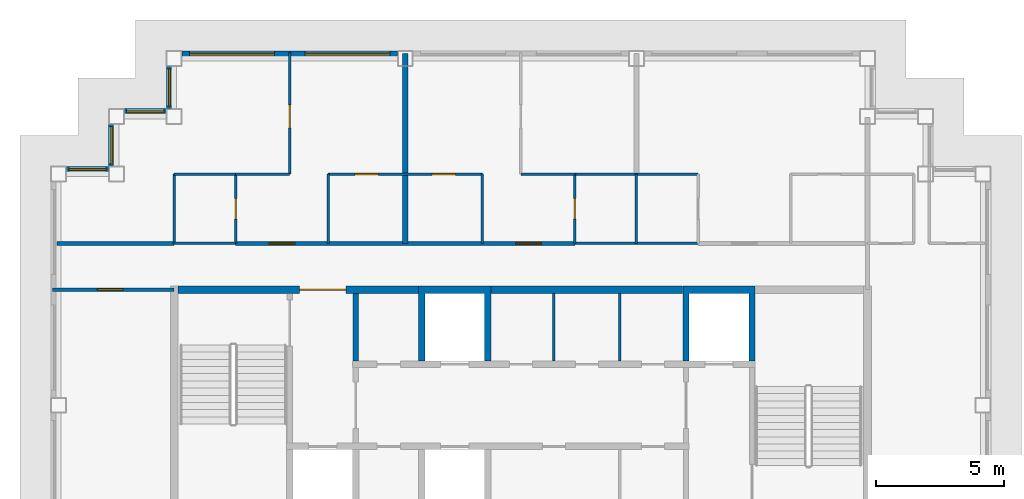
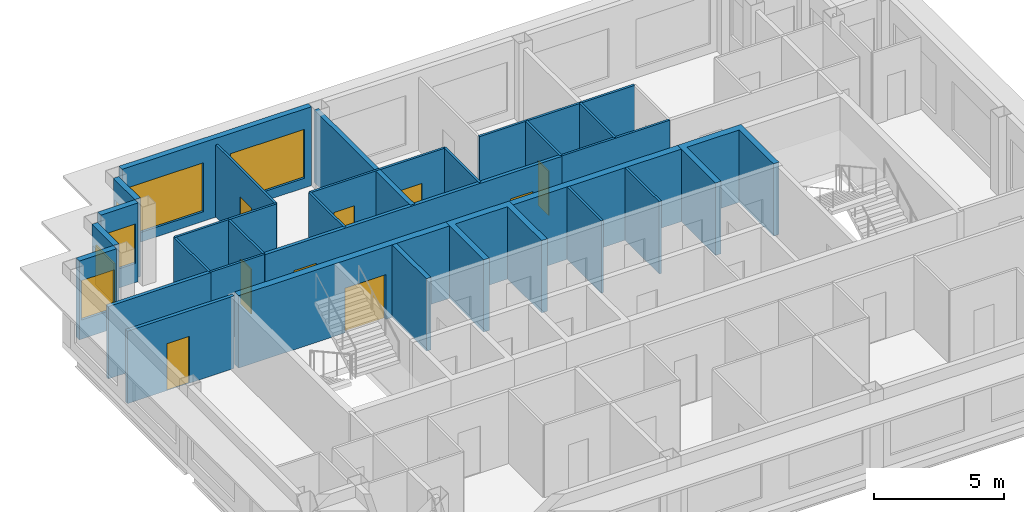
# One storey, part 4 of 11: 30 walls, 9 doors, 6 windows, 15 openings.
"""IFC4 building model written with IfcOpenShell, lengths in metres."""

from ifc_helpers import new_model, si_unit, direction, frame, frame_2d, origin, place, context, subcontext, project, spatial, polyline, rectangle, outline, extrude, material, layer, layer_set, type_object, element, fill, save


model = new_model("IFC4")

# Units and contexts
model_context = context("Model", 3, precision=1e-05, world=origin(), true_north=direction((0.0, 1.0)))
body_context = subcontext(model_context, "Body", "Model", "MODEL_VIEW")
ifc_project = project(units=[si_unit("LENGTHUNIT", "METRE"), si_unit("AREAUNIT", "SQUARE_METRE"), si_unit("VOLUMEUNIT", "CUBIC_METRE"), si_unit("PLANEANGLEUNIT", "RADIAN"), si_unit("MASSUNIT", "GRAM", prefix="KILO")], contexts=[model_context])

# Site, building, storey
site_placement = place(None, origin())
site = spatial("IfcSite", under=ifc_project, at=site_placement, CompositionType="ELEMENT")
building_placement = place(site_placement, origin())
building = spatial("IfcBuilding", under=site, at=building_placement, Name="Caravel Reach Hotel and Residences", CompositionType="ELEMENT")
storey_placement = place(building_placement, frame((0.0, 0.0, 298.199951171875)))
storey = spatial("IfcBuildingStorey", under=building, at=storey_placement, Name="L76", CompositionType="ELEMENT", Elevation=298.199951171875)

# Walls
ifc_material_1 = material(Name="Gypsum board on steel stud", Category="steel")
ifc_layer_1 = layer(ifc_material_1, 0.10009765625)
ifc_layer_set_1 = layer_set([ifc_layer_1], Name="Bathroom pod wall 100 mm")
wall_type_1 = type_object("IfcWallType", Name="Bathroom pod wall 100 mm", PredefinedType="PARTITIONING", material=ifc_layer_set_1)
wall_1_placement = place(storey_placement, frame((18.0, 33.300048828125, 0.0), z_axis=(0.0, 0.0, 1.0), x_axis=(1.0, 0.0, 0.0)))
element("IfcWall", 1, at=wall_1_placement, inside=storey, type_object=wall_type_1, Name="L76 wall w060", PredefinedType="PARTITIONING", context=body_context, shape_type="SweptSolid", body=[
    extrude(rectangle(XDim=2.39990234375, YDim=0.10009765625, at=frame_2d((1.199951171875, 0.0))), origin(), (0.0, 0.0, 1.0), 3.400146484375),
])
wall_2_placement = place(storey_placement, frame((33.60009765625, 33.300048828125, 0.0), z_axis=(0.0, 0.0, 1.0), x_axis=(1.0, 0.0, 0.0)))
element("IfcWall", 2, at=wall_2_placement, inside=storey, type_object=wall_type_1, Name="L76 wall w061", PredefinedType="PARTITIONING", context=body_context, shape_type="SweptSolid", body=[
    extrude(rectangle(XDim=4.7998046875, YDim=0.10009765625, at=frame_2d((2.39990234375, 0.0))), origin(), (0.0, 0.0, 1.0), 3.400146484375),
])
wall_3_placement = place(storey_placement, frame((18.0, 36.0, 0.0), z_axis=(0.0, 0.0, 1.0), x_axis=(1.0, 0.0, 0.0)))
element("IfcWall", 3, at=wall_3_placement, inside=storey, type_object=wall_type_1, Name="L76 wall w064", PredefinedType="PARTITIONING", context=body_context, shape_type="SweptSolid", body=[
    extrude(rectangle(XDim=2.39990234375, YDim=0.10009765625, at=frame_2d((1.199951171875, 0.0))), origin(), (0.0, 0.0, 1.0), 3.400146484375),
])
wall_4_placement = place(storey_placement, frame((33.60009765625, 36.0, 0.0), z_axis=(0.0, 0.0, 1.0), x_axis=(1.0, 0.0, 0.0)))
element("IfcWall", 4, at=wall_4_placement, inside=storey, type_object=wall_type_1, Name="L76 wall w065", PredefinedType="PARTITIONING", context=body_context, shape_type="SweptSolid", body=[
    extrude(rectangle(XDim=4.7998046875, YDim=0.10009765625, at=frame_2d((2.39990234375, 0.0))), origin(), (0.0, 0.0, 1.0), 3.400146484375),
])
wall_5_placement = place(storey_placement, frame((18.0, 33.301025390625, 0.0), z_axis=(0.0, 0.0, 1.0), x_axis=(0.0, 1.0, 0.0)))
element("IfcWall", 5, at=wall_5_placement, inside=storey, type_object=wall_type_1, Name="L76 wall w068", PredefinedType="PARTITIONING", context=body_context, shape_type="SweptSolid", body=[
    extrude(rectangle(XDim=2.698974609375, YDim=0.10009765625, at=frame_2d((1.349609375, 0.0))), origin(), (0.0, 0.0, 1.0), 3.400146484375),
])

# Wall, opening, door
wall_6_placement = place(storey_placement, frame((20.39990234375, 33.300048828125, 0.0), z_axis=(0.0, 0.0, 1.0), x_axis=(0.0, 1.0, 0.0)))
wall_6 = element("IfcWall", 6, at=wall_6_placement, inside=storey, type_object=wall_type_1, Name="L76 wall w070", PredefinedType="PARTITIONING", context=body_context, shape_type="SweptSolid", body=[
    extrude(rectangle(XDim=2.699951171875, YDim=0.10009765625, at=frame_2d((1.35009765625, 0.0))), origin(), (0.0, 0.0, 1.0), 3.400146484375),
])
opening_1_placement = place(wall_6_placement, frame((0.949951171875, 0.0, 0.0)))
opening_1 = element("IfcOpeningElement", 7, at=opening_1_placement, cuts=wall_6, Name="Opening D76-019", PredefinedType="OPENING", context=body_context, shape_type="SweptSolid", body=[
    extrude(rectangle(XDim=0.800048828125, YDim=2.10009765625, at=frame_2d((0.39990234375, 1.050048828125))), frame((0.0, 0.06005859375, 0.0), z_axis=(0.0, -1.0, 0.0), x_axis=(1.0, 0.0, 0.0)), (0.0, 0.0, 1.0), 0.1201171875),
])
ifc_material_2 = material(Name="Timber and steel door leaf", Category="steel")
door_type_1 = type_object("IfcDoorType", Name="Bathroom door 800 x 2100", OperationType="SINGLE_SWING_LEFT", PredefinedType="DOOR", material=ifc_material_2)
door_1_placement = place(opening_1_placement, origin())
door_1 = element("IfcDoor", 8, at=door_1_placement, inside=storey, type_object=door_type_1, Name="door D76-019", OperationType="SINGLE_SWING_LEFT", OverallHeight=2.10009765625, OverallWidth=0.800048828125, PredefinedType="DOOR", context=body_context, shape_type="SweptSolid", body=[
    extrude(rectangle(XDim=0.800048828125, YDim=2.10009765625, at=frame_2d((0.39990234375, 1.050048828125))), frame((0.0, 0.02490234375, 0.0), z_axis=(0.0, -1.0, 0.0), x_axis=(1.0, 0.0, 0.0)), (0.0, 0.0, 1.0), 0.050048828125),
])
fill(opening_1, door_1)

wall_7_placement = place(storey_placement, frame((33.60009765625, 33.300048828125, 0.0), z_axis=(0.0, 0.0, 1.0), x_axis=(0.0, 1.0, 0.0)))
wall_7 = element("IfcWall", 9, at=wall_7_placement, inside=storey, type_object=wall_type_1, Name="L76 wall w072", PredefinedType="PARTITIONING", context=body_context, shape_type="SweptSolid", body=[
    extrude(rectangle(XDim=2.699951171875, YDim=0.10009765625, at=frame_2d((1.35009765625, 0.0))), origin(), (0.0, 0.0, 1.0), 3.400146484375),
])
opening_2_placement = place(wall_7_placement, frame((0.949951171875, 0.0, 0.0)))
opening_2 = element("IfcOpeningElement", 10, at=opening_2_placement, cuts=wall_7, Name="Opening D76-024", PredefinedType="OPENING", context=body_context, shape_type="SweptSolid", body=[
    extrude(rectangle(XDim=0.800048828125, YDim=2.10009765625, at=frame_2d((0.39990234375, 1.050048828125))), frame((0.0, 0.06005859375, 0.0), z_axis=(0.0, -1.0, 0.0), x_axis=(1.0, 0.0, 0.0)), (0.0, 0.0, 1.0), 0.1201171875),
])
door_2_placement = place(opening_2_placement, origin())
door_2 = element("IfcDoor", 11, at=door_2_placement, inside=storey, type_object=door_type_1, Name="door D76-024", OperationType="SINGLE_SWING_LEFT", OverallHeight=2.10009765625, OverallWidth=0.800048828125, PredefinedType="DOOR", context=body_context, shape_type="SweptSolid", body=[
    extrude(rectangle(XDim=0.800048828125, YDim=2.10009765625, at=frame_2d((0.39990234375, 1.050048828125))), frame((0.0, 0.02490234375, 0.0), z_axis=(0.0, -1.0, 0.0), x_axis=(1.0, 0.0, 0.0)), (0.0, 0.0, 1.0), 0.050048828125),
])
fill(opening_2, door_2)

# Walls
wall_8_placement = place(storey_placement, frame((36.0, 33.300048828125, 0.0), z_axis=(0.0, 0.0, 1.0), x_axis=(0.0, 1.0, 0.0)))
element("IfcWall", 12, at=wall_8_placement, inside=storey, type_object=wall_type_1, Name="L76 wall w074", PredefinedType="PARTITIONING", context=body_context, shape_type="SweptSolid", body=[
    extrude(rectangle(XDim=2.699951171875, YDim=0.10009765625, at=frame_2d((1.35009765625, 0.0))), origin(), (0.0, 0.0, 1.0), 3.400146484375),
])
ifc_material_3 = material(Name="Autoclaved aerated block wall")
ifc_layer_2 = layer(ifc_material_3, 0.199951171875)
ifc_layer_set_2 = layer_set([ifc_layer_2], Name="Compartment wall 200 mm EI 120")
wall_type_2 = type_object("IfcWallType", Name="Compartment wall 200 mm EI 120", PredefinedType="PARTITIONING", material=ifc_layer_set_2)
wall_9_placement = place(storey_placement, frame((25.071533203125, 28.72509765625, 0.0), z_axis=(0.0, 0.0, 1.0), x_axis=(0.0, 1.0, 0.0)))
element("IfcWall", 13, at=wall_9_placement, inside=storey, type_object=wall_type_2, Name="L76 store partition", PredefinedType="PARTITIONING", context=body_context, shape_type="SweptSolid", body=[
    extrude(rectangle(XDim=2.625, YDim=0.199951171875, at=frame_2d((1.3125, 0.0))), origin(), (0.0, 0.0, 1.0), 3.400146484375),
])

# Wall, opening, door
ifc_material_4 = material(Name="Concrete C60", Category="concrete")
ifc_layer_3 = layer(ifc_material_4, 0.300048828125)
ifc_layer_set_3 = layer_set([ifc_layer_3], Name="Core wall 300 mm EI 120")
wall_type_3 = type_object("IfcWallType", Name="Core wall 300 mm EI 120", PredefinedType="SHEAR", material=ifc_layer_set_3)
wall_10_placement = place(storey_placement, frame((18.14990234375, 31.5, 0.0), z_axis=(0.0, 0.0, 1.0), x_axis=(1.0, 0.0, 0.0)))
wall_10 = element("IfcWall", 14, at=wall_10_placement, inside=storey, type_object=wall_type_3, Name="L76 core wall N1", PredefinedType="SHEAR", context=body_context, shape_type="SweptSolid", body=[
    extrude(rectangle(XDim=9.367919921875, YDim=0.300048828125, at=frame_2d((4.68408203125, 0.0))), origin(), (0.0, 0.0, 1.0), 3.400146484375),
])
opening_3_placement = place(wall_10_placement, frame((4.735595703125, 0.0, 0.0)))
opening_3 = element("IfcOpeningElement", 15, at=opening_3_placement, cuts=wall_10, Name="Opening D76-016", PredefinedType="OPENING", context=body_context, shape_type="SweptSolid", body=[
    extrude(rectangle(XDim=1.800048828125, YDim=2.10009765625, at=frame_2d((0.89990234375, 1.050048828125))), frame((0.0, 0.159912109375, 0.0), z_axis=(0.0, -1.0, 0.0), x_axis=(1.0, 0.0, 0.0)), (0.0, 0.0, 1.0), 0.320068359375),
])
ifc_material_5 = material(Name="Steel fire door leaf", Category="steel")
door_type_2 = type_object("IfcDoorType", Name="Fire lobby door pair 1800 x 2100 EI 90", OperationType="DOUBLE_DOOR_SINGLE_SWING", PredefinedType="DOOR", material=ifc_material_5)
door_3_placement = place(opening_3_placement, origin())
door_3 = element("IfcDoor", 16, at=door_3_placement, inside=storey, type_object=door_type_2, Name="lobby N door pair to corridor", OperationType="DOUBLE_DOOR_SINGLE_SWING", OverallHeight=2.10009765625, OverallWidth=1.800048828125, PredefinedType="DOOR", context=body_context, shape_type="SweptSolid", body=[
    extrude(rectangle(XDim=1.800048828125, YDim=2.10009765625, at=frame_2d((0.89990234375, 1.050048828125))), frame((0.0, 0.02490234375, 0.0), z_axis=(0.0, -1.0, 0.0), x_axis=(1.0, 0.0, 0.0)), (0.0, 0.0, 1.0), 0.050048828125),
])
fill(opening_3, door_3)

# Wall
wall_11_placement = place(storey_placement, frame((30.33935546875, 31.5, 0.0), z_axis=(0.0, 0.0, 1.0), x_axis=(1.0, 0.0, 0.0)))
element("IfcWall", 17, at=wall_11_placement, inside=storey, type_object=wall_type_3, Name="L76 core wall N2", PredefinedType="SHEAR", context=body_context, shape_type="SweptSolid", body=[
    extrude(rectangle(XDim=7.464111328125, YDim=0.300048828125, at=frame_2d((3.73193359375, 0.0))), origin(), (0.0, 0.0, 1.0), 3.400146484375),
])

# Wall, opening, door
ifc_material_6 = material(Name="Gypsum board on steel stud, fire-rated", Category="steel")
ifc_layer_4 = layer(ifc_material_6, 0.14990234375)
ifc_layer_set_4 = layer_set([ifc_layer_4], Name="Corridor wall 150 mm EI 60")
wall_type_4 = type_object("IfcWallType", Name="Corridor wall 150 mm EI 60", PredefinedType="PARTITIONING", material=ifc_layer_set_4)
wall_12_placement = place(storey_placement, frame((13.260009765625, 31.5, 0.0), z_axis=(0.0, 0.0, 1.0), x_axis=(1.0, 0.0, 0.0)))
wall_12 = element("IfcWall", 18, at=wall_12_placement, inside=storey, type_object=wall_type_4, Name="L76 wall w009", PredefinedType="PARTITIONING", context=body_context, shape_type="SweptSolid", body=[
    extrude(rectangle(XDim=4.739990234375, YDim=0.14990234375, at=frame_2d((2.3701171875, 0.0))), origin(), (0.0, 0.0, 1.0), 3.400146484375),
])
opening_4_placement = place(wall_12_placement, frame((1.75, 0.0, 0.0)))
opening_4 = element("IfcOpeningElement", 19, at=opening_4_placement, cuts=wall_12, Name="Opening D76-039", PredefinedType="OPENING", context=body_context, shape_type="SweptSolid", body=[
    extrude(rectangle(XDim=1.0, YDim=2.199951171875, at=frame_2d((0.5, 1.10009765625))), frame((0.0, 0.0849609375, 0.0), z_axis=(0.0, -1.0, 0.0), x_axis=(1.0, 0.0, 0.0)), (0.0, 0.0, 1.0), 0.169921875),
])
ifc_material_7 = material(Name="Steel fire door leaf", Category="steel")
door_type_3 = type_object("IfcDoorType", Name="Flat entrance door 1000 x 2200 EI 60", OperationType="SINGLE_SWING_LEFT", PredefinedType="DOOR", material=ifc_material_7)
door_4_placement = place(opening_4_placement, origin())
door_4 = element("IfcDoor", 20, at=door_4_placement, inside=storey, type_object=door_type_3, Name="door D76-039", OperationType="SINGLE_SWING_LEFT", OverallHeight=2.199951171875, OverallWidth=1.0, PredefinedType="DOOR", context=body_context, shape_type="SweptSolid", body=[
    extrude(rectangle(XDim=1.0, YDim=2.199951171875, at=frame_2d((0.5, 1.10009765625))), frame((0.0, 0.02490234375, 0.0), z_axis=(0.0, -1.0, 0.0), x_axis=(1.0, 0.0, 0.0)), (0.0, 0.0, 1.0), 0.050048828125),
])
fill(opening_4, door_4)

# Wall
wall_13_placement = place(storey_placement, frame((13.449951171875, 33.300048828125, 0.0), z_axis=(0.0, 0.0, 1.0), x_axis=(1.0, 0.0, 0.0)))
element("IfcWall", 21, at=wall_13_placement, inside=storey, type_object=wall_type_4, Name="L76 wall w010", PredefinedType="PARTITIONING", context=body_context, shape_type="SweptSolid", body=[
    extrude(rectangle(XDim=4.549072265625, YDim=0.14990234375, at=frame_2d((2.2744140625, 0.0))), origin(), (0.0, 0.0, 1.0), 3.400146484375),
])

# Wall, openings, doors
wall_14_placement = place(storey_placement, frame((20.39990234375, 33.300048828125, 0.0), z_axis=(0.0, 0.0, 1.0), x_axis=(1.0, 0.0, 0.0)))
wall_14 = element("IfcWall", 22, at=wall_14_placement, inside=storey, type_object=wall_type_4, Name="L76 wall w011", PredefinedType="PARTITIONING", context=body_context, shape_type="SweptSolid", body=[
    extrude(rectangle(XDim=13.2001953125, YDim=0.14990234375, at=frame_2d((6.60009765625, 0.0))), origin(), (0.0, 0.0, 1.0), 3.400146484375),
])
opening_5_placement = place(wall_14_placement, frame((1.300048828125, 0.0, 0.0)))
opening_5 = element("IfcOpeningElement", 23, at=opening_5_placement, cuts=wall_14, Name="Opening D76-018", PredefinedType="OPENING", context=body_context, shape_type="SweptSolid", body=[
    extrude(rectangle(XDim=1.0, YDim=2.199951171875, at=frame_2d((0.5, 1.10009765625))), frame((0.0, 0.0849609375, 0.0), z_axis=(0.0, -1.0, 0.0), x_axis=(1.0, 0.0, 0.0)), (0.0, 0.0, 1.0), 0.169921875),
])
opening_6_placement = place(wall_14_placement, frame((10.900146484375, 0.0, 0.0)))
opening_6 = element("IfcOpeningElement", 24, at=opening_6_placement, cuts=wall_14, Name="Opening D76-022", PredefinedType="OPENING", context=body_context, shape_type="SweptSolid", body=[
    extrude(rectangle(XDim=1.0, YDim=2.199951171875, at=frame_2d((0.5, 1.10009765625))), frame((0.0, 0.0849609375, 0.0), z_axis=(0.0, -1.0, 0.0), x_axis=(1.0, 0.0, 0.0)), (0.0, 0.0, 1.0), 0.169921875),
])
door_5_placement = place(opening_5_placement, origin())
door_5 = element("IfcDoor", 25, at=door_5_placement, inside=storey, type_object=door_type_3, Name="door D76-018", OperationType="SINGLE_SWING_RIGHT", OverallHeight=2.199951171875, OverallWidth=1.0, PredefinedType="DOOR", context=body_context, shape_type="SweptSolid", body=[
    extrude(rectangle(XDim=1.0, YDim=2.199951171875, at=frame_2d((0.5, 1.10009765625))), frame((0.0, 0.02490234375, 0.0), z_axis=(0.0, -1.0, 0.0), x_axis=(1.0, 0.0, 0.0)), (0.0, 0.0, 1.0), 0.050048828125),
])
fill(opening_5, door_5)
door_6_placement = place(opening_6_placement, origin())
door_6 = element("IfcDoor", 26, at=door_6_placement, inside=storey, type_object=door_type_3, Name="door D76-022", OperationType="SINGLE_SWING_RIGHT", OverallHeight=2.199951171875, OverallWidth=1.0, PredefinedType="DOOR", context=body_context, shape_type="SweptSolid", body=[
    extrude(rectangle(XDim=1.0, YDim=2.199951171875, at=frame_2d((0.5, 1.10009765625))), frame((0.0, 0.02490234375, 0.0), z_axis=(0.0, -1.0, 0.0), x_axis=(1.0, 0.0, 0.0)), (0.0, 0.0, 1.0), 0.050048828125),
])
fill(opening_6, door_6)

# Wall, openings, windows
ifc_material_8 = material(Name="Insulated rainscreen wall, aluminium cladding", Category="aluminium")
ifc_layer_5 = layer(ifc_material_8, 0.25)
ifc_layer_set_5 = layer_set([ifc_layer_5], Name="EW1 Tower rainscreen wall")
wall_type_5 = type_object("IfcWallType", Name="EW1 Tower rainscreen wall", PredefinedType="SOLIDWALL", material=ifc_layer_set_5)
wall_15_placement = place(storey_placement, frame((26.699951171875, 40.675048828125, 0.0), z_axis=(0.0, 0.0, 1.0), x_axis=(-1.0, 0.0, 0.0)))
wall_15 = element("IfcWall", 27, at=wall_15_placement, inside=storey, type_object=wall_type_5, Name="External wall L76 N10.3", PredefinedType="SOLIDWALL", context=body_context, shape_type="SweptSolid", body=[
    extrude(rectangle(XDim=8.39990234375, YDim=0.25, at=frame_2d((4.199951171875, 0.0))), origin(), (0.0, 0.0, 1.0), 3.699951171875),
])
opening_7_placement = place(wall_15_placement, frame((0.300048828125, 0.0, 0.449951171875)))
opening_7 = element("IfcOpeningElement", 28, at=opening_7_placement, cuts=wall_15, Name="Opening WN15", PredefinedType="OPENING", context=body_context, shape_type="SweptSolid", body=[
    extrude(rectangle(XDim=3.300048828125, YDim=2.300048828125, at=frame_2d((1.64990234375, 1.14990234375))), frame((0.0, 0.135009765625, 0.0), z_axis=(0.0, -1.0, 0.0), x_axis=(1.0, 0.0, 0.0)), (0.0, 0.0, 1.0), 0.27001953125),
])
opening_8_placement = place(wall_15_placement, frame((4.800048828125, 0.0, 0.449951171875)))
opening_8 = element("IfcOpeningElement", 29, at=opening_8_placement, cuts=wall_15, Name="Opening WN15", PredefinedType="OPENING", context=body_context, shape_type="SweptSolid", body=[
    extrude(rectangle(XDim=3.300048828125, YDim=2.300048828125, at=frame_2d((1.64990234375, 1.14990234375))), frame((0.0, 0.135009765625, 0.0), z_axis=(0.0, -1.0, 0.0), x_axis=(1.0, 0.0, 0.0)), (0.0, 0.0, 1.0), 0.27001953125),
])
ifc_material_9 = material(Name="Dark low-e glazing in black aluminium frame", Category="aluminium")
window_type_1 = type_object("IfcWindowType", Name="Residence living window 3300 x 2300", PartitioningType="SINGLE_PANEL", PredefinedType="WINDOW", material=ifc_material_9)
window_1_placement = place(opening_7_placement, origin())
window_1 = element("IfcWindow", 30, at=window_1_placement, inside=storey, type_object=window_type_1, Name="Window L76 N10.3.1", OverallHeight=2.300048828125, OverallWidth=3.300048828125, PartitioningType="SINGLE_PANEL", PredefinedType="WINDOW", context=body_context, shape_type="SweptSolid", body=[
    extrude(rectangle(XDim=3.300048828125, YDim=2.300048828125, at=frame_2d((1.64990234375, 1.14990234375))), frame((0.0, 0.030029296875, 0.0), z_axis=(0.0, -1.0, 0.0), x_axis=(1.0, 0.0, 0.0)), (0.0, 0.0, 1.0), 0.06005859375),
])
fill(opening_7, window_1)
window_2_placement = place(opening_8_placement, origin())
window_2 = element("IfcWindow", 31, at=window_2_placement, inside=storey, type_object=window_type_1, Name="Window L76 N10.3.2", OverallHeight=2.300048828125, OverallWidth=3.300048828125, PartitioningType="SINGLE_PANEL", PredefinedType="WINDOW", context=body_context, shape_type="SweptSolid", body=[
    extrude(rectangle(XDim=3.300048828125, YDim=2.300048828125, at=frame_2d((1.64990234375, 1.14990234375))), frame((0.0, 0.030029296875, 0.0), z_axis=(0.0, -1.0, 0.0), x_axis=(1.0, 0.0, 0.0)), (0.0, 0.0, 1.0), 0.06005859375),
])
fill(opening_8, window_2)

# Wall, opening, window
wall_16_placement = place(storey_placement, frame((17.824951171875, 40.199951171875, 0.0), z_axis=(0.0, 0.0, 1.0), x_axis=(0.0, -1.0, 0.0)))
wall_16 = element("IfcWall", 32, at=wall_16_placement, inside=storey, type_object=wall_type_5, Name="External wall L76 W11.1", PredefinedType="SOLIDWALL", context=body_context, shape_type="SweptSolid", body=[
    extrude(rectangle(XDim=1.64990234375, YDim=0.25, at=frame_2d((0.824951171875, 0.0))), origin(), (0.0, 0.0, 1.0), 3.699951171875),
])
opening_9_placement = place(wall_16_placement, frame((0.10009765625, 0.0, 0.89990234375)))
opening_9 = element("IfcOpeningElement", 33, at=opening_9_placement, cuts=wall_16, Name="Opening WN25", PredefinedType="OPENING", context=body_context, shape_type="SweptSolid", body=[
    extrude(rectangle(XDim=1.449951171875, YDim=1.85009765625, at=frame_2d((0.72509765625, 0.925048828125))), frame((0.0, 0.135009765625, 0.0), z_axis=(0.0, -1.0, 0.0), x_axis=(1.0, 0.0, 0.0)), (0.0, 0.0, 1.0), 0.27001953125),
])
ifc_material_10 = material(Name="Dark low-e glazing in black aluminium frame", Category="aluminium")
window_type_2 = type_object("IfcWindowType", Name="Residence bedroom window 1450 x 1850", PartitioningType="SINGLE_PANEL", PredefinedType="WINDOW", material=ifc_material_10)
window_3_placement = place(opening_9_placement, origin())
window_3 = element("IfcWindow", 34, at=window_3_placement, inside=storey, type_object=window_type_2, Name="Window L76 W11.1.1", OverallHeight=1.85009765625, OverallWidth=1.449951171875, PartitioningType="SINGLE_PANEL", PredefinedType="WINDOW", context=body_context, shape_type="SweptSolid", body=[
    extrude(rectangle(XDim=1.449951171875, YDim=1.85009765625, at=frame_2d((0.72509765625, 0.925048828125))), frame((0.0, 0.030029296875, 0.0), z_axis=(0.0, -1.0, 0.0), x_axis=(1.0, 0.0, 0.0)), (0.0, 0.0, 1.0), 0.06005859375),
])
fill(opening_9, window_3)

wall_17_placement = place(storey_placement, frame((17.699951171875, 38.425048828125, 0.0), z_axis=(0.0, 0.0, 1.0), x_axis=(-1.0, 0.0, 0.0)))
wall_17 = element("IfcWall", 35, at=wall_17_placement, inside=storey, type_object=wall_type_5, Name="External wall L76 N12.1", PredefinedType="SOLIDWALL", context=body_context, shape_type="SweptSolid", body=[
    extrude(rectangle(XDim=1.64990234375, YDim=0.25, at=frame_2d((0.824951171875, 0.0))), origin(), (0.0, 0.0, 1.0), 3.699951171875),
])
opening_10_placement = place(wall_17_placement, frame((0.10009765625, 0.0, 0.89990234375)))
opening_10 = element("IfcOpeningElement", 36, at=opening_10_placement, cuts=wall_17, Name="Opening WN25", PredefinedType="OPENING", context=body_context, shape_type="SweptSolid", body=[
    extrude(rectangle(XDim=1.449951171875, YDim=1.85009765625, at=frame_2d((0.72509765625, 0.925048828125))), frame((0.0, 0.135009765625, 0.0), z_axis=(0.0, -1.0, 0.0), x_axis=(1.0, 0.0, 0.0)), (0.0, 0.0, 1.0), 0.27001953125),
])
window_4_placement = place(opening_10_placement, origin())
window_4 = element("IfcWindow", 37, at=window_4_placement, inside=storey, type_object=window_type_2, Name="Window L76 N12.1.1", OverallHeight=1.85009765625, OverallWidth=1.449951171875, PartitioningType="SINGLE_PANEL", PredefinedType="WINDOW", context=body_context, shape_type="SweptSolid", body=[
    extrude(rectangle(XDim=1.449951171875, YDim=1.85009765625, at=frame_2d((0.72509765625, 0.925048828125))), frame((0.0, 0.030029296875, 0.0), z_axis=(0.0, -1.0, 0.0), x_axis=(1.0, 0.0, 0.0)), (0.0, 0.0, 1.0), 0.06005859375),
])
fill(opening_10, window_4)

wall_18_placement = place(storey_placement, frame((15.574951171875, 37.949951171875, 0.0), z_axis=(0.0, 0.0, 1.0), x_axis=(0.0, -1.0, 0.0)))
wall_18 = element("IfcWall", 38, at=wall_18_placement, inside=storey, type_object=wall_type_5, Name="External wall L76 W13.1", PredefinedType="SOLIDWALL", context=body_context, shape_type="SweptSolid", body=[
    extrude(rectangle(XDim=1.64990234375, YDim=0.25, at=frame_2d((0.824951171875, 0.0))), origin(), (0.0, 0.0, 1.0), 3.699951171875),
])
opening_11_placement = place(wall_18_placement, frame((0.10009765625, 0.0, 0.89990234375)))
opening_11 = element("IfcOpeningElement", 39, at=opening_11_placement, cuts=wall_18, Name="Opening WN25", PredefinedType="OPENING", context=body_context, shape_type="SweptSolid", body=[
    extrude(rectangle(XDim=1.449951171875, YDim=1.85009765625, at=frame_2d((0.72509765625, 0.925048828125))), frame((0.0, 0.135009765625, 0.0), z_axis=(0.0, -1.0, 0.0), x_axis=(1.0, 0.0, 0.0)), (0.0, 0.0, 1.0), 0.27001953125),
])
window_5_placement = place(opening_11_placement, origin())
window_5 = element("IfcWindow", 40, at=window_5_placement, inside=storey, type_object=window_type_2, Name="Window L76 W13.1.1", OverallHeight=1.85009765625, OverallWidth=1.449951171875, PartitioningType="SINGLE_PANEL", PredefinedType="WINDOW", context=body_context, shape_type="SweptSolid", body=[
    extrude(rectangle(XDim=1.449951171875, YDim=1.85009765625, at=frame_2d((0.72509765625, 0.925048828125))), frame((0.0, 0.030029296875, 0.0), z_axis=(0.0, -1.0, 0.0), x_axis=(1.0, 0.0, 0.0)), (0.0, 0.0, 1.0), 0.06005859375),
])
fill(opening_11, window_5)

wall_19_placement = place(storey_placement, frame((15.449951171875, 36.175048828125, 0.0), z_axis=(0.0, 0.0, 1.0), x_axis=(-1.0, 0.0, 0.0)))
wall_19 = element("IfcWall", 41, at=wall_19_placement, inside=storey, type_object=wall_type_5, Name="External wall L76 N14.1", PredefinedType="SOLIDWALL", context=body_context, shape_type="SweptSolid", body=[
    extrude(rectangle(XDim=1.64990234375, YDim=0.25, at=frame_2d((0.824951171875, 0.0))), origin(), (0.0, 0.0, 1.0), 3.699951171875),
])
opening_12_placement = place(wall_19_placement, frame((0.10009765625, 0.0, 0.89990234375)))
opening_12 = element("IfcOpeningElement", 42, at=opening_12_placement, cuts=wall_19, Name="Opening WN25", PredefinedType="OPENING", context=body_context, shape_type="SweptSolid", body=[
    extrude(rectangle(XDim=1.449951171875, YDim=1.85009765625, at=frame_2d((0.72509765625, 0.925048828125))), frame((0.0, 0.135009765625, 0.0), z_axis=(0.0, -1.0, 0.0), x_axis=(1.0, 0.0, 0.0)), (0.0, 0.0, 1.0), 0.27001953125),
])
window_6_placement = place(opening_12_placement, origin())
window_6 = element("IfcWindow", 43, at=window_6_placement, inside=storey, type_object=window_type_2, Name="Window L76 N14.1.1", OverallHeight=1.85009765625, OverallWidth=1.449951171875, PartitioningType="SINGLE_PANEL", PredefinedType="WINDOW", context=body_context, shape_type="SweptSolid", body=[
    extrude(rectangle(XDim=1.449951171875, YDim=1.85009765625, at=frame_2d((0.72509765625, 0.925048828125))), frame((0.0, 0.030029296875, 0.0), z_axis=(0.0, -1.0, 0.0), x_axis=(1.0, 0.0, 0.0)), (0.0, 0.0, 1.0), 0.06005859375),
])
fill(opening_12, window_6)

# Walls
ifc_material_11 = material(Name="Gypsum board on steel stud", Category="steel")
ifc_layer_6 = layer(ifc_material_11, 0.10009765625)
ifc_layer_set_6 = layer_set([ifc_layer_6], Name="Partition 100 mm")
wall_type_6 = type_object("IfcWallType", Name="Partition 100 mm", PredefinedType="PARTITIONING", material=ifc_layer_set_6)
for number, where, z_axis, x_axis, name in (
    (44, (32.78564453125, 28.72509765625, 0.0), (0.0, 0.0, 1.0), (0.0, 1.0, 0.0), "L76 store partition"),
    (45, (35.357177734375, 28.72509765625, 0.0), (0.0, 0.0, 1.0), (0.0, 1.0, 0.0), "L76 store partition"),
):
    element("IfcWall", number, at=place(storey_placement, frame(where, z_axis=z_axis, x_axis=x_axis)), inside=storey, type_object=wall_type_6, Name=name, PredefinedType="PARTITIONING", context=body_context, shape_type="SweptSolid", body=[
        extrude(rectangle(XDim=2.625, YDim=0.10009765625, at=frame_2d((1.3125, 0.0))), origin(), (0.0, 0.0, 1.0), 3.400146484375),
    ])
wall_20_placement = place(storey_placement, frame((20.39990234375, 36.0, 0.0), z_axis=(0.0, 0.0, 1.0), x_axis=(1.0, 0.0, 0.0)))
element("IfcWall", 46, at=wall_20_placement, inside=storey, type_object=wall_type_6, Name="L76 wall w026", PredefinedType="PARTITIONING", context=body_context, shape_type="SweptSolid", body=[
    extrude(rectangle(XDim=2.10009765625, YDim=0.10009765625, at=frame_2d((1.050048828125, 0.0))), origin(), (0.0, 0.0, 1.0), 3.400146484375),
])

# Wall, openings, doors
wall_21_placement = place(storey_placement, frame((24.0, 36.0, 0.0), z_axis=(0.0, 0.0, 1.0), x_axis=(1.0, 0.0, 0.0)))
wall_21 = element("IfcWall", 47, at=wall_21_placement, inside=storey, type_object=wall_type_6, Name="L76 wall w027", PredefinedType="PARTITIONING", context=body_context, shape_type="SweptSolid", body=[
    extrude(rectangle(XDim=6.0, YDim=0.10009765625, at=frame_2d((3.0, 0.0))), origin(), (0.0, 0.0, 1.0), 3.400146484375),
])
opening_13_placement = place(wall_21_placement, frame((1.050048828125, 0.0, 0.0)))
opening_13 = element("IfcOpeningElement", 48, at=opening_13_placement, cuts=wall_21, Name="Opening D76-020", PredefinedType="OPENING", context=body_context, shape_type="SweptSolid", body=[
    extrude(rectangle(XDim=0.89990234375, YDim=2.10009765625, at=frame_2d((0.449951171875, 1.050048828125))), frame((0.0, 0.06005859375, 0.0), z_axis=(0.0, -1.0, 0.0), x_axis=(1.0, 0.0, 0.0)), (0.0, 0.0, 1.0), 0.1201171875),
])
opening_14_placement = place(wall_21_placement, frame((4.050048828125, 0.0, 0.0)))
opening_14 = element("IfcOpeningElement", 49, at=opening_14_placement, cuts=wall_21, Name="Opening D76-023", PredefinedType="OPENING", context=body_context, shape_type="SweptSolid", body=[
    extrude(rectangle(XDim=0.89990234375, YDim=2.10009765625, at=frame_2d((0.449951171875, 1.050048828125))), frame((0.0, 0.06005859375, 0.0), z_axis=(0.0, -1.0, 0.0), x_axis=(1.0, 0.0, 0.0)), (0.0, 0.0, 1.0), 0.1201171875),
])
ifc_material_12 = material(Name="Timber and steel door leaf", Category="steel")
door_type_4 = type_object("IfcDoorType", Name="Door 900 x 2100 timber", OperationType="SINGLE_SWING_LEFT", PredefinedType="DOOR", material=ifc_material_12)
door_7_placement = place(opening_13_placement, origin())
door_7 = element("IfcDoor", 50, at=door_7_placement, inside=storey, type_object=door_type_4, Name="door D76-020", OperationType="SINGLE_SWING_LEFT", OverallHeight=2.10009765625, OverallWidth=0.89990234375, PredefinedType="DOOR", context=body_context, shape_type="SweptSolid", body=[
    extrude(rectangle(XDim=0.89990234375, YDim=2.10009765625, at=frame_2d((0.449951171875, 1.050048828125))), frame((0.0, 0.02490234375, 0.0), z_axis=(0.0, -1.0, 0.0), x_axis=(1.0, 0.0, 0.0)), (0.0, 0.0, 1.0), 0.050048828125),
])
fill(opening_13, door_7)
door_8_placement = place(opening_14_placement, origin())
door_8 = element("IfcDoor", 51, at=door_8_placement, inside=storey, type_object=door_type_4, Name="door D76-023", OperationType="SINGLE_SWING_RIGHT", OverallHeight=2.10009765625, OverallWidth=0.89990234375, PredefinedType="DOOR", context=body_context, shape_type="SweptSolid", body=[
    extrude(rectangle(XDim=0.89990234375, YDim=2.10009765625, at=frame_2d((0.449951171875, 1.050048828125))), frame((0.0, 0.02490234375, 0.0), z_axis=(0.0, -1.0, 0.0), x_axis=(1.0, 0.0, 0.0)), (0.0, 0.0, 1.0), 0.050048828125),
])
fill(opening_14, door_8)

# Wall
wall_22_placement = place(storey_placement, frame((31.5, 36.0, 0.0), z_axis=(0.0, 0.0, 1.0), x_axis=(1.0, 0.0, 0.0)))
element("IfcWall", 52, at=wall_22_placement, inside=storey, type_object=wall_type_6, Name="L76 wall w028", PredefinedType="PARTITIONING", context=body_context, shape_type="SweptSolid", body=[
    extrude(rectangle(XDim=2.10009765625, YDim=0.10009765625, at=frame_2d((1.050048828125, 0.0))), origin(), (0.0, 0.0, 1.0), 3.400146484375),
])

# Wall, opening, door
wall_23_placement = place(storey_placement, frame((22.5, 36.0, 0.0), z_axis=(0.0, 0.0, 1.0), x_axis=(0.0, 1.0, 0.0)))
wall_23 = element("IfcWall", 53, at=wall_23_placement, inside=storey, type_object=wall_type_6, Name="L76 wall w033", PredefinedType="PARTITIONING", context=body_context, shape_type="SweptSolid", body=[
    extrude(rectangle(XDim=4.739990234375, YDim=0.10009765625, at=frame_2d((2.3701171875, 0.0))), origin(), (0.0, 0.0, 1.0), 3.400146484375),
])
opening_15_placement = place(wall_23_placement, frame((1.800048828125, 0.0, 0.0)))
opening_15 = element("IfcOpeningElement", 54, at=opening_15_placement, cuts=wall_23, Name="Opening D76-021", PredefinedType="OPENING", context=body_context, shape_type="SweptSolid", body=[
    extrude(rectangle(XDim=0.89990234375, YDim=2.10009765625, at=frame_2d((0.449951171875, 1.050048828125))), frame((0.0, 0.06005859375, 0.0), z_axis=(0.0, -1.0, 0.0), x_axis=(1.0, 0.0, 0.0)), (0.0, 0.0, 1.0), 0.1201171875),
])
door_9_placement = place(opening_15_placement, origin())
door_9 = element("IfcDoor", 55, at=door_9_placement, inside=storey, type_object=door_type_4, Name="door D76-021", OperationType="SINGLE_SWING_RIGHT", OverallHeight=2.10009765625, OverallWidth=0.89990234375, PredefinedType="DOOR", context=body_context, shape_type="SweptSolid", body=[
    extrude(rectangle(XDim=0.89990234375, YDim=2.10009765625, at=frame_2d((0.449951171875, 1.050048828125))), frame((0.0, 0.02490234375, 0.0), z_axis=(0.0, -1.0, 0.0), x_axis=(1.0, 0.0, 0.0)), (0.0, 0.0, 1.0), 0.050048828125),
])
fill(opening_15, door_9)

# Walls
for number, where, z_axis, x_axis, name in (
    (56, (24.0, 33.300048828125, 0.0), (0.0, 0.0, 1.0), (0.0, 1.0, 0.0), "L76 wall w034"),
    (57, (30.0, 33.300048828125, 0.0), (0.0, 0.0, 1.0), (0.0, 1.0, 0.0), "L76 wall w036"),
):
    element("IfcWall", number, at=place(storey_placement, frame(where, z_axis=z_axis, x_axis=x_axis)), inside=storey, type_object=wall_type_6, Name=name, PredefinedType="PARTITIONING", context=body_context, shape_type="SweptSolid", body=[
        extrude(rectangle(XDim=2.699951171875, YDim=0.10009765625, at=frame_2d((1.35009765625, 0.0))), origin(), (0.0, 0.0, 1.0), 3.400146484375),
    ])
ifc_material_13 = material(Name="Autoclaved aerated block wall")
ifc_layer_7 = layer(ifc_material_13, 0.199951171875)
ifc_layer_set_7 = layer_set([ifc_layer_7], Name="Party wall 200 mm EI 60")
wall_type_7 = type_object("IfcWallType", Name="Party wall 200 mm EI 60", PredefinedType="PARTITIONING", material=ifc_layer_set_7)
wall_24_placement = place(storey_placement, frame((27.0, 33.300048828125, 0.0), z_axis=(0.0, 0.0, 1.0), x_axis=(0.0, 1.0, 0.0)))
element("IfcWall", 58, at=wall_24_placement, inside=storey, type_object=wall_type_7, Name="L76 wall w046", PredefinedType="PARTITIONING", context=body_context, shape_type="SweptSolid", body=[
    extrude(rectangle(XDim=7.389892578125, YDim=0.199951171875, at=frame_2d((3.69482421875, 0.0))), origin(), (0.0, 0.0, 1.0), 3.400146484375),
])
ifc_material_14 = material(Name="Concrete C60", Category="concrete")
ifc_layer_8 = layer(ifc_material_14, 0.25)
ifc_layer_set_8 = layer_set([ifc_layer_8], Name="Shaft wall 250 mm EI 120")
wall_type_8 = type_object("IfcWallType", Name="Shaft wall 250 mm EI 120", PredefinedType="SHEAR", material=ifc_layer_set_8)
wall_25_placement = place(storey_placement, origin())
element("IfcWall", 59, at=wall_25_placement, inside=storey, type_object=wall_type_8, Name="L76 lift shaft wall N1", PredefinedType="SHEAR", context=body_context, shape_type="SweptSolid", body=[
    extrude(outline(polyline([(27.517822265625, 28.72509765625), (27.767822265625, 28.72509765625), (27.767822265625, 31.35009765625), (30.08935546875, 31.35009765625), (30.08935546875, 28.72509765625), (30.33935546875, 28.72509765625), (30.33935546875, 31.64990234375), (27.517822265625, 31.64990234375), (27.517822265625, 28.72509765625)])), origin(), (0.0, 0.0, 1.0), 3.400146484375),
])
wall_26_placement = place(storey_placement, origin())
element("IfcWall", 60, at=wall_26_placement, inside=storey, type_object=wall_type_8, Name="L76 lift shaft wall N2", PredefinedType="SHEAR", context=body_context, shape_type="SweptSolid", body=[
    extrude(outline(polyline([(37.803466796875, 28.72509765625), (38.053466796875, 28.72509765625), (38.053466796875, 31.35009765625), (40.375, 31.35009765625), (40.375, 28.72509765625), (40.625, 28.72509765625), (40.625, 31.64990234375), (37.803466796875, 31.64990234375), (37.803466796875, 28.72509765625)])), origin(), (0.0, 0.0, 1.0), 3.400146484375),
])

save(model, "model.ifc")
